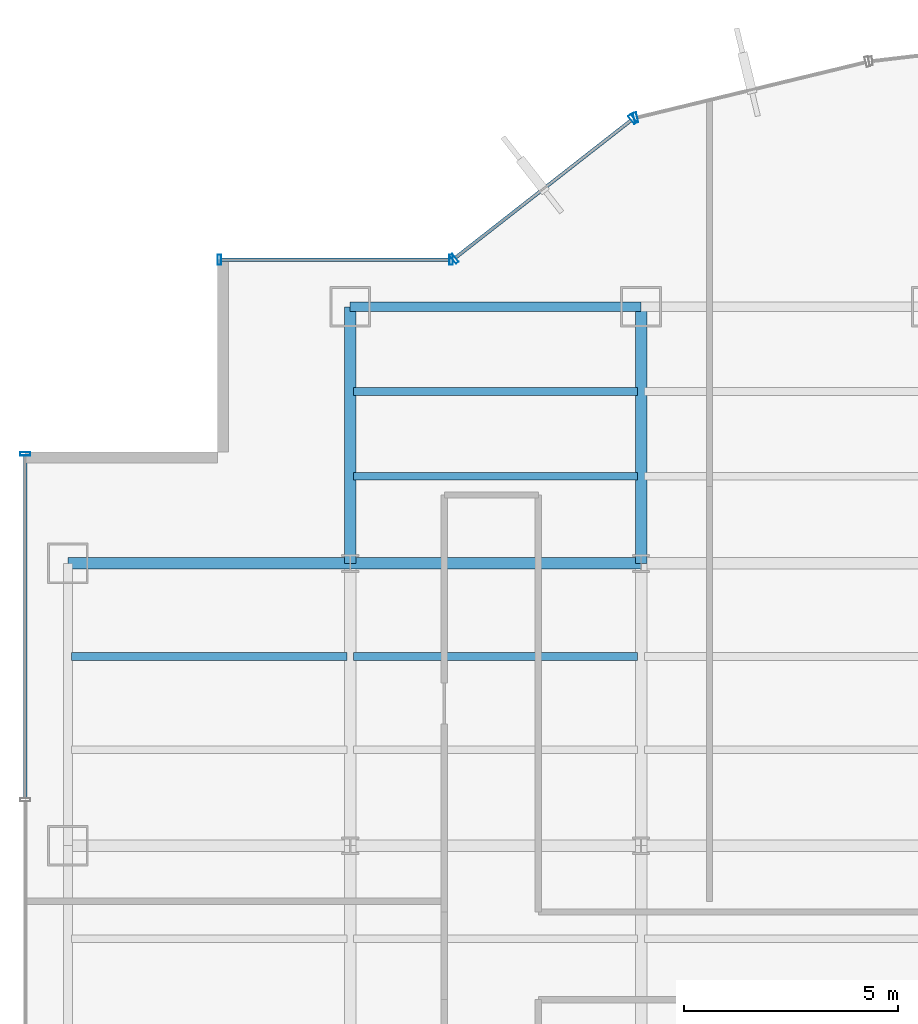
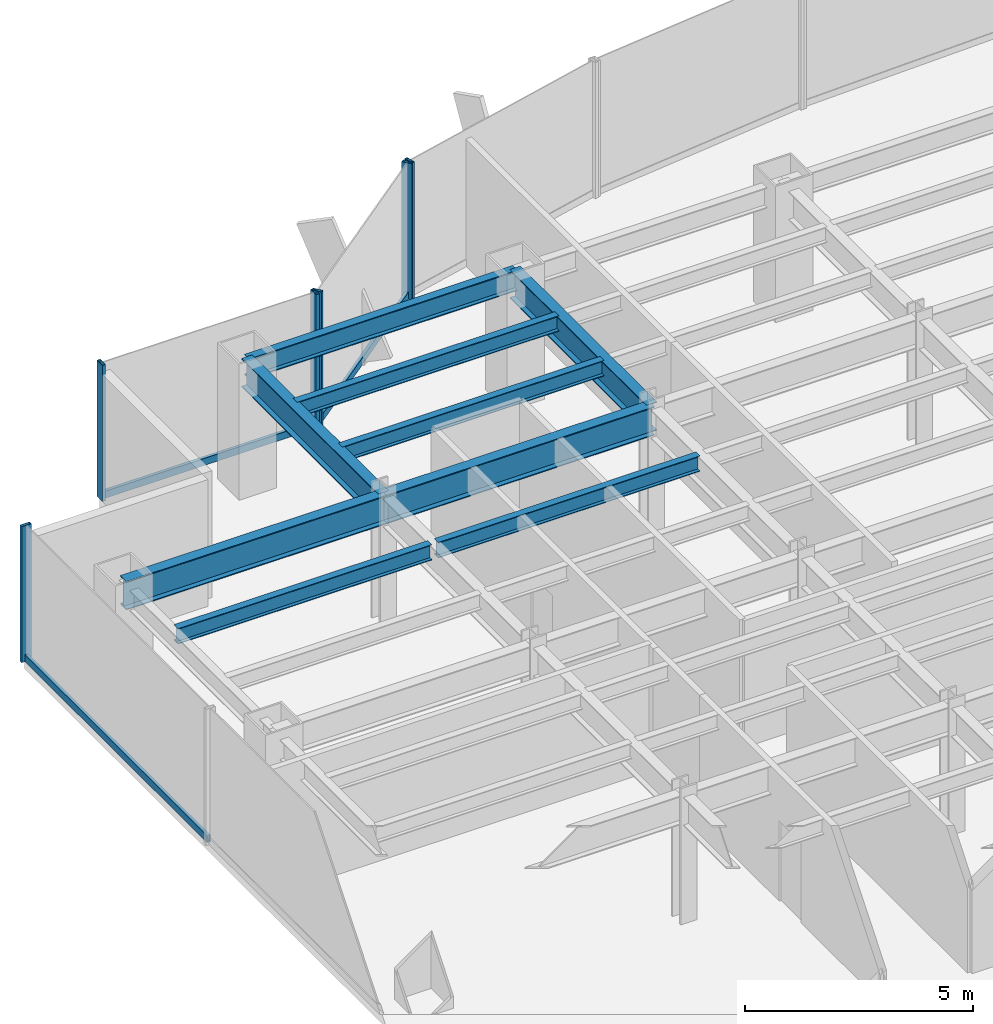
# One storey, part 10 of 22: 9 beams, 9 members, 4 elements without a shape of their own.
"""IFC4 building model written with IfcOpenShell, lengths in metres."""

from ifc_helpers import new_model, si_unit, derived_unit, direction, frame, origin, origin_2d, place, context, subcontext, project, spatial, hollow_rectangle, i_section, extrude, source, transform, mapped, material, material_profile, profile_set, type_object, element, aggregate, save


model = new_model("IFC4")

# Units and contexts
model_context = context("Model", 3, precision=1e-05, world=origin(), true_north=direction((0.0, 1.0)))
body_context = subcontext(model_context, "Body", "Model", "MODEL_VIEW")
ifc_project = project(units=[si_unit("LENGTHUNIT", "METRE"), si_unit("AREAUNIT", "SQUARE_METRE"), si_unit("VOLUMEUNIT", "CUBIC_METRE"), si_unit("PLANEANGLEUNIT", "RADIAN"), si_unit("MASSUNIT", "GRAM", prefix="KILO"), derived_unit("THERMALTRANSMITTANCEUNIT", [(si_unit("POWERUNIT", "WATT"), 1), (si_unit("LENGTHUNIT", "METRE"), -2), (si_unit("THERMODYNAMICTEMPERATUREUNIT", "KELVIN"), -1)])], contexts=[model_context])

# Site, building, storey
site_placement = place(None, origin())
site = spatial("IfcSite", under=ifc_project, at=site_placement, CompositionType="ELEMENT")
building_placement = place(site_placement, origin())
building = spatial("IfcBuilding", under=site, at=building_placement, Name="Skarnbrae Concourse Arena and Tower", CompositionType="ELEMENT")
storey_placement = place(building_placement, frame((0.0, 0.0, 61.699951171875)))
storey = spatial("IfcBuildingStorey", under=building, at=storey_placement, Name="L14", CompositionType="ELEMENT", Elevation=61.699951171875)

# Beams
ifc_material_1 = material(Name="Steel CSA G40.21 350W", Category="steel")
ifc_material_profile_1 = material_profile(ifc_material_1, i_section(OverallWidth=0.26806640625, OverallDepth=0.77001953125, WebThickness=0.015625, FlangeThickness=0.025390625, at=origin_2d()), Name="W760X196")
ifc_profile_set_1 = profile_set([ifc_material_profile_1], Name="Steel CSA G40.21 350W")
beam_type_1 = type_object("IfcBeamType", Name="BM-GIRD-W760X196", PredefinedType="BEAM", material=ifc_profile_set_1)
shared_shape_1 = source(origin(), body_context, "Body", "SweptSolid", [
    extrude(i_section(OverallWidth=0.26806640625, OverallDepth=0.77001953125, WebThickness=0.015625, FlangeThickness=0.025390625, at=origin_2d()), origin(), (0.0, 0.0, 1.0), 6.60009765625),
])
beam_1_placement = place(storey_placement, frame((1.0, 34.39990234375, 3.01513671875), z_axis=(1.0, 0.0, 0.0), x_axis=(0.0, 1.0, 0.0)))
element("IfcBeam", 1, at=beam_1_placement, inside=storey, type_object=beam_type_1, Name="L14 Primary E-W girder Y34.4-1", PredefinedType="BEAM", context=body_context, shape_type="MappedRepresentation", body=[
    mapped(shared_shape_1, transform((0.0, 0.0, 0.0))),
])
shared_shape_2 = source(origin(), body_context, "Body", "SweptSolid", [
    extrude(i_section(OverallWidth=0.26806640625, OverallDepth=0.77001953125, WebThickness=0.015625, FlangeThickness=0.025390625, at=origin_2d()), origin(), (0.0, 0.0, 1.0), 6.7998046875),
])
beam_2_placement = place(storey_placement, frame((7.60009765625, 34.39990234375, 3.01513671875), z_axis=(1.0, 0.0, 0.0), x_axis=(0.0, 1.0, 0.0)))
element("IfcBeam", 2, at=beam_2_placement, inside=storey, type_object=beam_type_1, Name="L14 Primary E-W girder Y34.4-2", PredefinedType="BEAM", context=body_context, shape_type="MappedRepresentation", body=[
    mapped(shared_shape_2, transform((0.0, 0.0, 0.0))),
])
shared_shape_3 = source(origin(), body_context, "Body", "SweptSolid", [
    extrude(i_section(OverallWidth=0.26806640625, OverallDepth=0.77001953125, WebThickness=0.015625, FlangeThickness=0.025390625, at=origin_2d()), origin(), (0.0, 0.0, 1.0), 6.0),
])
for number, where, z_axis, x_axis, name in (
    (3, (7.60009765625, 34.39990234375, 3.01513671875), (0.0, 1.0, 0.0), (-1.0, 0.0, 0.0), "L14 Primary N-S girder X7.6-4"),
    (4, (14.39990234375, 34.39990234375, 3.01513671875), (0.0, 1.0, 0.0), (-1.0, 0.0, 0.0), "L14 Primary N-S girder X14.4-4"),
):
    element("IfcBeam", number, at=place(storey_placement, frame(where, z_axis=z_axis, x_axis=x_axis)), inside=storey, type_object=beam_type_1, Name=name, PredefinedType="BEAM", context=body_context, shape_type="MappedRepresentation", body=[
        mapped(shared_shape_3, transform((0.0, 0.0, 0.0))),
    ])
ifc_material_profile_2 = material_profile(ifc_material_1, i_section(OverallWidth=0.214111328125, OverallDepth=0.549072265625, WebThickness=0.0146484375, FlangeThickness=0.023681640625, at=origin_2d()), Name="W530X138")
ifc_profile_set_2 = profile_set([ifc_material_profile_2], Name="Steel CSA G40.21 350W")
beam_type_2 = type_object("IfcBeamType", Name="BM-SPAN-W530X138", PredefinedType="SPANDREL", material=ifc_profile_set_2)
shared_shape_4 = source(origin(), body_context, "Body", "SweptSolid", [
    extrude(i_section(OverallWidth=0.214111328125, OverallDepth=0.549072265625, WebThickness=0.0146484375, FlangeThickness=0.023681640625, at=origin_2d()), origin(), (0.0, 0.0, 1.0), 6.7998046875),
])
beam_3_placement = place(storey_placement, frame((7.60009765625, 40.39990234375, 3.12548828125), z_axis=(1.0, 0.0, 0.0), x_axis=(0.0, 1.0, 0.0)))
element("IfcBeam", 5, at=beam_3_placement, inside=storey, type_object=beam_type_2, Name="L14 Perimeter spandrel Y40.4-1", PredefinedType="SPANDREL", context=body_context, shape_type="MappedRepresentation", body=[
    mapped(shared_shape_4, transform((0.0, 0.0, 0.0))),
])
ifc_material_profile_3 = material_profile(ifc_material_1, i_section(OverallWidth=0.180908203125, OverallDepth=0.4169921875, WebThickness=0.010986328125, FlangeThickness=0.018310546875, at=origin_2d()), Name="W410X85")
ifc_profile_set_3 = profile_set([ifc_material_profile_3], Name="Steel CSA G40.21 350W")
beam_type_3 = type_object("IfcBeamType", Name="BM-JOIST-W410X85", PredefinedType="JOIST", material=ifc_profile_set_3)
shared_shape_5 = source(origin(), body_context, "Body", "SweptSolid", [
    extrude(i_section(OverallWidth=0.180908203125, OverallDepth=0.4169921875, WebThickness=0.010986328125, FlangeThickness=0.018310546875, at=origin_2d()), origin(), (0.0, 0.0, 1.0), 6.43994140625),
])
beam_4_placement = place(storey_placement, frame((1.080078125, 32.221923828125, 3.191650390625), z_axis=(1.0, 0.0, 0.0), x_axis=(0.0, 1.0, 0.0)))
element("IfcBeam", 6, at=beam_4_placement, inside=storey, type_object=beam_type_3, Name="L14 Secondary floor joist 3.2.1", PredefinedType="JOIST", context=body_context, shape_type="MappedRepresentation", body=[
    mapped(shared_shape_5, transform((0.0, 0.0, 0.0))),
])
shared_shape_6 = source(origin(), body_context, "Body", "SweptSolid", [
    extrude(i_section(OverallWidth=0.180908203125, OverallDepth=0.4169921875, WebThickness=0.010986328125, FlangeThickness=0.018310546875, at=origin_2d()), origin(), (0.0, 0.0, 1.0), 6.64013671875),
])
for number, where, z_axis, x_axis, name in (
    (7, (7.679931640625, 32.221923828125, 3.191650390625), (1.0, 0.0, 0.0), (0.0, 1.0, 0.0), "L14 Secondary floor joist 3.2.2"),
    (8, (7.679931640625, 36.43994140625, 3.191650390625), (1.0, 0.0, 0.0), (0.0, 1.0, 0.0), "L14 Secondary floor joist 4.1.1"),
    (9, (7.679931640625, 38.419921875, 3.191650390625), (1.0, 0.0, 0.0), (0.0, 1.0, 0.0), "L14 Secondary floor joist 4.2.1"),
):
    element("IfcBeam", number, at=place(storey_placement, frame(where, z_axis=z_axis, x_axis=x_axis)), inside=storey, type_object=beam_type_3, Name=name, PredefinedType="JOIST", context=body_context, shape_type="MappedRepresentation", body=[
        mapped(shared_shape_6, transform((0.0, 0.0, 0.0))),
    ])

# Curtain wall, member
ifc_material_2 = material(Name="Bronze anodised aluminium 6063-T6", Category="aluminium")
curtain_wall_type = type_object("IfcCurtainWallType", Name="CW-SYS-02-LOWZONE", PredefinedType="USERDEFINED", material=ifc_material_2)
curtain_wall_1_placement = place(storey_placement, origin())
curtain_wall_1 = element("IfcCurtainWall", 10, at=curtain_wall_1_placement, inside=storey, type_object=curtain_wall_type, Name="L14 Unitised curtain wall CW-L14-E16", ObjectType="UNITISED CURTAIN WALL", PredefinedType="USERDEFINED")
ifc_material_profile_4 = material_profile(ifc_material_2, hollow_rectangle(XDim=0.080078125, YDim=0.18994140625, WallThickness=0.0048828125, at=origin_2d()), Name="ALU-TRAN-80X190")
ifc_profile_set_4 = profile_set([ifc_material_profile_4], Name="Bronze anodised aluminium 6063-T6")
member_type_1 = type_object("IfcMemberType", Name="CWT-CW-02", PredefinedType="USERDEFINED", material=ifc_profile_set_4)
shared_shape_7 = source(origin(), body_context, "Body", "SweptSolid", [
    extrude(hollow_rectangle(XDim=0.080078125, YDim=0.18994140625, WallThickness=0.0048828125, at=origin_2d()), origin(), (0.0, 0.0, 1.0), 5.33984375),
])
member_1_placement = place(storey_placement, frame((9.919921875, 41.5, 0.094970703125), z_axis=(-1.0, 0.0, 0.0), x_axis=(0.0, -1.0, 0.0)))
member_1 = element("IfcMember", 11, at=member_1_placement, type_object=member_type_1, Name="CW-L14-E16 Transom 1", ObjectType="TRANSOM", PredefinedType="USERDEFINED", context=body_context, shape_type="MappedRepresentation", body=[
    mapped(shared_shape_7, transform((0.0, 0.0, 0.0))),
])

curtain_wall_2_placement = place(storey_placement, origin())
curtain_wall_2 = element("IfcCurtainWall", 12, at=curtain_wall_2_placement, inside=storey, type_object=curtain_wall_type, Name="L14 Unitised curtain wall CW-L14-E15", ObjectType="UNITISED CURTAIN WALL", PredefinedType="USERDEFINED")
shared_shape_8 = source(origin(), body_context, "Body", "SweptSolid", [
    extrude(hollow_rectangle(XDim=0.080078125, YDim=0.18994140625, WallThickness=0.0048828125, at=origin_2d()), origin(), (0.0, 0.0, 1.0), 5.215087890625),
])
member_2_placement = place(storey_placement, frame((14.170654296875, 44.762451171875, 0.094970703125), z_axis=(-0.787650196702, -0.616122688784, 0.0), x_axis=(0.616122688784, -0.787650196702, 0.0)))
member_2 = element("IfcMember", 13, at=member_2_placement, type_object=member_type_1, Name="CW-L14-E15 Transom 1", ObjectType="TRANSOM", PredefinedType="USERDEFINED", context=body_context, shape_type="MappedRepresentation", body=[
    mapped(shared_shape_8, transform((0.0, 0.0, 0.0))),
])

curtain_wall_3_placement = place(storey_placement, origin())
curtain_wall_3 = element("IfcCurtainWall", 14, at=curtain_wall_3_placement, inside=storey, type_object=curtain_wall_type, Name="L14 Unitised curtain wall CW-L14-E19", ObjectType="UNITISED CURTAIN WALL", PredefinedType="USERDEFINED")
shared_shape_9 = source(origin(), body_context, "Body", "SweptSolid", [
    extrude(hollow_rectangle(XDim=0.080078125, YDim=0.18994140625, WallThickness=0.0048828125, at=origin_2d()), origin(), (0.0, 0.0, 1.0), 8.0048828125),
])
member_3_placement = place(storey_placement, frame((0.0, 36.919921875, 0.094970703125), z_axis=(0.0, -1.0, 0.0), x_axis=(1.0, 0.0, 0.0)))
member_3 = element("IfcMember", 15, at=member_3_placement, type_object=member_type_1, Name="CW-L14-E19 Transom 1", ObjectType="TRANSOM", PredefinedType="USERDEFINED", context=body_context, shape_type="MappedRepresentation", body=[
    mapped(shared_shape_9, transform((0.0, 0.0, 0.0))),
])

curtain_wall_4_placement = place(storey_placement, origin())
curtain_wall_4 = element("IfcCurtainWall", 16, at=curtain_wall_4_placement, inside=storey, type_object=curtain_wall_type, Name="L14 Unitised curtain wall CW-L14-E14", ObjectType="UNITISED CURTAIN WALL", PredefinedType="USERDEFINED")
ifc_material_profile_5 = material_profile(ifc_material_2, hollow_rectangle(XDim=0.080078125, YDim=0.239990234375, WallThickness=0.0048828125, at=origin_2d()), Name="ALU-MULL-80X240")
ifc_profile_set_5 = profile_set([ifc_material_profile_5], Name="Bronze anodised aluminium 6063-T6")
member_type_2 = type_object("IfcMemberType", Name="CWM-CW-02", PredefinedType="MULLION", material=ifc_profile_set_5)
shared_shape_10 = source(origin(), body_context, "Body", "SweptSolid", [
    extrude(hollow_rectangle(XDim=0.080078125, YDim=0.239990234375, WallThickness=0.0048828125, at=origin_2d()), origin(), (0.0, 0.0, 1.0), 3.650146484375),
])
member_4_placement = place(storey_placement, frame((14.272705078125, 44.821044921875, 0.0), z_axis=(0.0, 0.0, 1.0), x_axis=(-0.971973721569, -0.235089524607, 0.0)))
member_4 = element("IfcMember", 17, at=member_4_placement, type_object=member_type_2, Name="CW-L14-E14 Mullion 2", PredefinedType="MULLION", context=body_context, shape_type="MappedRepresentation", body=[
    mapped(shared_shape_10, transform((0.0, 0.0, 0.0))),
])
aggregate(curtain_wall_4, [member_4])

# Member
member_5_placement = place(storey_placement, frame((14.2021484375, 44.787109375, 0.0), z_axis=(0.0, 0.0, 1.0), x_axis=(-0.787651726054, -0.616120733658, 0.0)))
member_5 = element("IfcMember", 18, at=member_5_placement, type_object=member_type_2, Name="CW-L14-E15 Mullion 1", PredefinedType="MULLION", context=body_context, shape_type="MappedRepresentation", body=[
    mapped(shared_shape_10, transform((0.0, 0.0, 0.0))),
])

member_6_placement = place(storey_placement, frame((10.031494140625, 41.524658203125, 0.0), z_axis=(0.0, 0.0, 1.0), x_axis=(-0.787651726054, -0.616120733658, 0.0)))
member_6 = element("IfcMember", 19, at=member_6_placement, type_object=member_type_2, Name="CW-L14-E15 Mullion 2", PredefinedType="MULLION", context=body_context, shape_type="MappedRepresentation", body=[
    mapped(shared_shape_10, transform((0.0, 0.0, 0.0))),
])

aggregate(curtain_wall_2, [member_5, member_6, member_2])

member_7_placement = place(storey_placement, frame((9.9599609375, 41.5, 0.0), z_axis=(0.0, 0.0, 1.0), x_axis=(-1.0, 0.0, 0.0)))
member_7 = element("IfcMember", 20, at=member_7_placement, type_object=member_type_2, Name="CW-L14-E16 Mullion 1", PredefinedType="MULLION", context=body_context, shape_type="MappedRepresentation", body=[
    mapped(shared_shape_10, transform((0.0, 0.0, 0.0))),
])

member_8_placement = place(storey_placement, frame((4.5400390625, 41.5, 0.0), z_axis=(0.0, 0.0, 1.0), x_axis=(-1.0, 0.0, 0.0)))
member_8 = element("IfcMember", 21, at=member_8_placement, type_object=member_type_2, Name="CW-L14-E16 Mullion 2", PredefinedType="MULLION", context=body_context, shape_type="MappedRepresentation", body=[
    mapped(shared_shape_10, transform((0.0, 0.0, 0.0))),
])

aggregate(curtain_wall_1, [member_7, member_8, member_1])

member_9_placement = place(storey_placement, frame((0.0, 36.9599609375, 0.0), z_axis=(0.0, 0.0, 1.0), x_axis=(0.0, -1.0, 0.0)))
member_9 = element("IfcMember", 22, at=member_9_placement, type_object=member_type_2, Name="CW-L14-E19 Mullion 1", PredefinedType="MULLION", context=body_context, shape_type="MappedRepresentation", body=[
    mapped(shared_shape_10, transform((0.0, 0.0, 0.0))),
])

aggregate(curtain_wall_3, [member_9, member_3])

save(model, "model.ifc")
